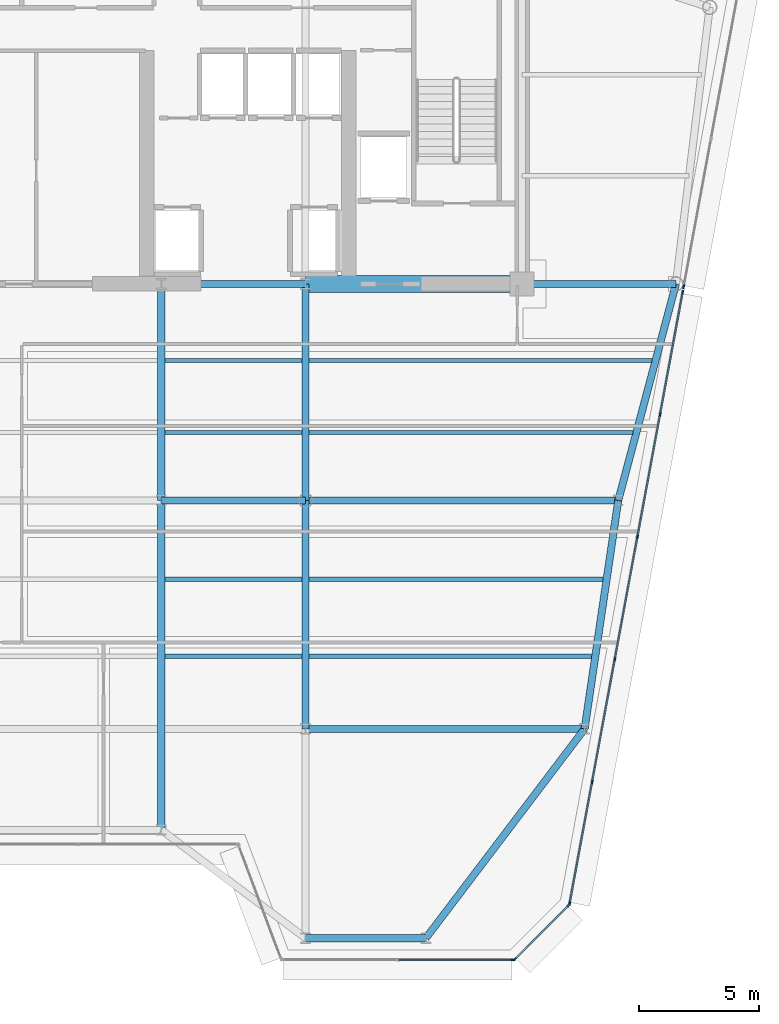
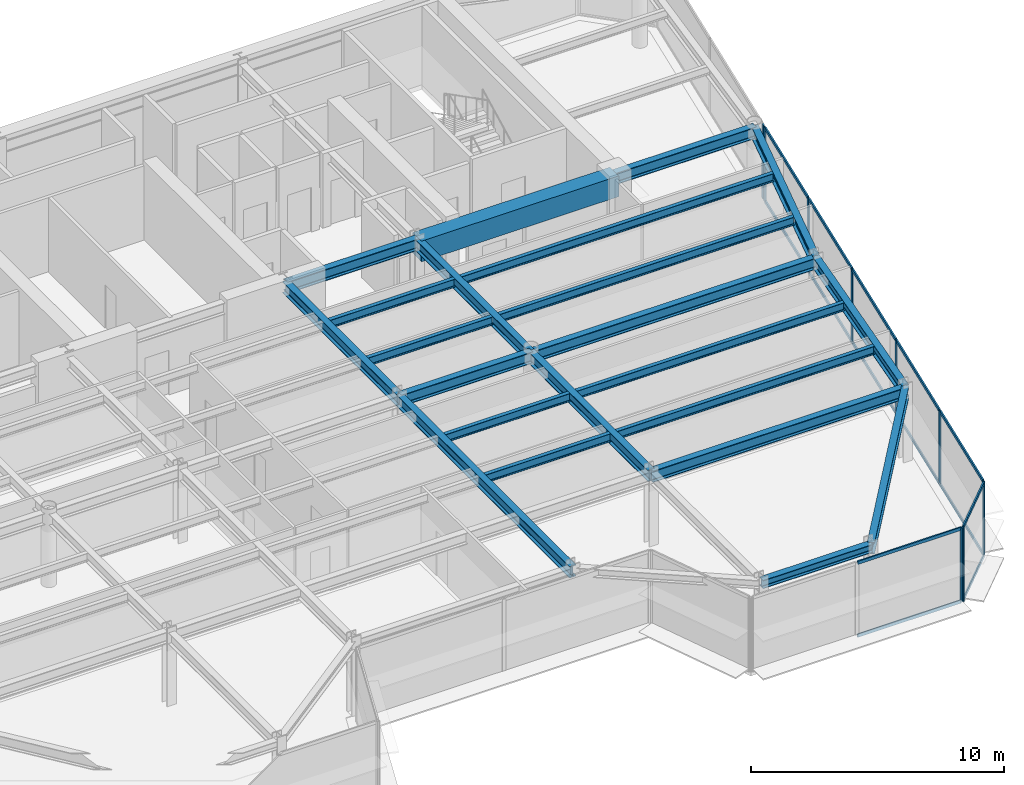
# One storey, part 6 of 16: 24 members, 22 beams, 4 elements without a shape of their own.
"""IFC4 building model written with IfcOpenShell, lengths in metres."""

from ifc_helpers import new_model, si_unit, direction, frame, origin, origin_2d, place, context, subcontext, project, spatial, rectangle, i_section, extrude, source, transform, mapped, material, layer, layer_set, material_profile, profile_set, type_object, element, aggregate, save


model = new_model("IFC4")

# Units and contexts
model_context = context("Model", 3, precision=1e-05, world=origin(), true_north=direction((0.0, 1.0)))
body_context = subcontext(model_context, "Body", "Model", "MODEL_VIEW")
ifc_project = project(units=[si_unit("LENGTHUNIT", "METRE"), si_unit("AREAUNIT", "SQUARE_METRE"), si_unit("VOLUMEUNIT", "CUBIC_METRE"), si_unit("PLANEANGLEUNIT", "RADIAN"), si_unit("MASSUNIT", "GRAM", prefix="KILO")], contexts=[model_context])

# Site, building, storey
site_placement = place(None, origin())
site = spatial("IfcSite", under=ifc_project, at=site_placement, CompositionType="ELEMENT")
building_placement = place(site_placement, origin())
building = spatial("IfcBuilding", under=site, at=building_placement, Name="Vaeldorn Concourse Tower", CompositionType="ELEMENT")
storey_placement = place(building_placement, frame((0.0, 0.0, 227.0)))
storey = spatial("IfcBuildingStorey", under=building, at=storey_placement, Name="L58", CompositionType="ELEMENT", Elevation=227.0)

# Beams
ifc_material_1 = material(Name="Concrete C50/60", Category="concrete")
ifc_material_profile_1 = material_profile(ifc_material_1, rectangle(XDim=0.699951171875, YDim=1.0, at=origin_2d()), Name="RC 700x1000")
ifc_profile_set_1 = profile_set([ifc_material_profile_1], Name="Concrete C50/60")
beam_type_1 = type_object("IfcBeamType", Name="BM-CB-RC700", PredefinedType="BEAM", material=ifc_profile_set_1)
shared_shape_1 = source(origin(), body_context, "Body", "SweptSolid", [
    extrude(rectangle(XDim=0.699951171875, YDim=1.0, at=origin_2d()), origin(), (0.0, 0.0, 1.0), 9.0),
])
beam_1_placement = place(storey_placement, frame((45.0, 36.5, 3.080078125), z_axis=(1.0, 0.0, 0.0), x_axis=(0.0, 1.0, 0.0)))
element("IfcBeam", 1, at=beam_1_placement, inside=storey, type_object=beam_type_1, Name="Core Coupling Beam L58-2", PredefinedType="BEAM", context=body_context, shape_type="MappedRepresentation", body=[
    mapped(shared_shape_1, transform((0.0, 0.0, 0.0), scale=1.0)),
])
ifc_material_2 = material(Name="Steel S355", Category="steel")
ifc_material_profile_2 = material_profile(ifc_material_2, i_section(OverallWidth=0.300048828125, OverallDepth=0.39990234375, WebThickness=0.013427734375, FlangeThickness=0.02392578125, FilletRadius=0.027099609375, at=origin_2d()), Name="HEB 400")
ifc_profile_set_2 = profile_set([ifc_material_profile_2], Name="Steel S355")
beam_type_2 = type_object("IfcBeamType", Name="BM-SP-HEB400", PredefinedType="SPANDREL", material=ifc_profile_set_2)
shared_shape_2 = source(origin(), body_context, "Body", "SweptSolid", [
    extrude(i_section(OverallWidth=0.300048828125, OverallDepth=0.39990234375, WebThickness=0.013427734375, FlangeThickness=0.02392578125, FilletRadius=0.027099609375, at=origin_2d()), origin(), (0.0, 0.0, 1.0), 5.0),
])
beam_2_placement = place(storey_placement, frame((45.0, 9.300048828125, 3.3798828125), z_axis=(1.0, 0.0, 0.0), x_axis=(0.0, 1.0, 0.0)))
element("IfcBeam", 2, at=beam_2_placement, inside=storey, type_object=beam_type_2, Name="Beam BM-L58-C-SF5-C-SF6", PredefinedType="SPANDREL", context=body_context, shape_type="MappedRepresentation", body=[
    mapped(shared_shape_2, transform((0.0, 0.0, 0.0), scale=1.0)),
])
ifc_material_profile_3 = material_profile(ifc_material_2, i_section(OverallWidth=0.179931640625, OverallDepth=0.39990234375, WebThickness=0.008544921875, FlangeThickness=0.013427734375, FilletRadius=0.02099609375, at=origin_2d()), Name="IPE 400")
ifc_profile_set_3 = profile_set([ifc_material_profile_3], Name="Steel S355")
beam_type_3 = type_object("IfcBeamType", Name="BM-JS-IPE400", PredefinedType="JOIST", material=ifc_profile_set_3)
shared_shape_3 = source(origin(), body_context, "Body", "SweptSolid", [
    extrude(i_section(OverallWidth=0.179931640625, OverallDepth=0.39990234375, WebThickness=0.008544921875, FlangeThickness=0.013427734375, FilletRadius=0.02099609375, at=origin_2d()), origin(), (0.0, 0.0, 1.0), 5.7001953125),
])
for number, where, z_axis, x_axis, name in (
    (3, (39.14990234375, 21.02001953125, 3.3798828125), (1.0, 0.0, 0.0), (0.0, 1.0, 0.0), "Beam JS-L58-E2-210"),
    (4, (39.14990234375, 24.219970703125, 3.3798828125), (1.0, 0.0, 0.0), (0.0, 1.0, 0.0), "Beam JS-L58-E2-242"),
    (5, (39.14990234375, 30.320068359375, 3.3798828125), (1.0, 0.0, 0.0), (0.0, 1.0, 0.0), "Beam JS-L58-E2-303"),
    (6, (39.14990234375, 33.320068359375, 3.3798828125), (1.0, 0.0, 0.0), (0.0, 1.0, 0.0), "Beam JS-L58-E2-333"),
):
    element("IfcBeam", number, at=place(storey_placement, frame(where, z_axis=z_axis, x_axis=x_axis)), inside=storey, type_object=beam_type_3, Name=name, PredefinedType="JOIST", context=body_context, shape_type="MappedRepresentation", body=[
        mapped(shared_shape_3, transform((0.0, 0.0, 0.0), scale=1.0)),
    ])
shared_shape_4 = source(origin(), body_context, "Body", "SweptSolid", [
    extrude(i_section(OverallWidth=0.179931640625, OverallDepth=0.39990234375, WebThickness=0.008544921875, FlangeThickness=0.013427734375, FilletRadius=0.02099609375, at=origin_2d()), origin(), (0.0, 0.0, 1.0), 11.7451171875),
])
beam_3_placement = place(storey_placement, frame((45.14990234375, 21.02001953125, 3.3798828125), z_axis=(1.0, 0.0, 0.0), x_axis=(0.0, 1.0, 0.0)))
element("IfcBeam", 7, at=beam_3_placement, inside=storey, type_object=beam_type_3, Name="Beam JS-L58-E1-210", PredefinedType="JOIST", context=body_context, shape_type="MappedRepresentation", body=[
    mapped(shared_shape_4, transform((0.0, 0.0, 0.0), scale=1.0)),
])
shared_shape_5 = source(origin(), body_context, "Body", "SweptSolid", [
    extrude(i_section(OverallWidth=0.179931640625, OverallDepth=0.39990234375, WebThickness=0.008544921875, FlangeThickness=0.013427734375, FilletRadius=0.02099609375, at=origin_2d()), origin(), (0.0, 0.0, 1.0), 12.216796875),
])
beam_4_placement = place(storey_placement, frame((45.14990234375, 24.219970703125, 3.3798828125), z_axis=(1.0, 0.0, 0.0), x_axis=(0.0, 1.0, 0.0)))
element("IfcBeam", 8, at=beam_4_placement, inside=storey, type_object=beam_type_3, Name="Beam JS-L58-E1-242", PredefinedType="JOIST", context=body_context, shape_type="MappedRepresentation", body=[
    mapped(shared_shape_5, transform((0.0, 0.0, 0.0), scale=1.0)),
])
shared_shape_6 = source(origin(), body_context, "Body", "SweptSolid", [
    extrude(i_section(OverallWidth=0.179931640625, OverallDepth=0.39990234375, WebThickness=0.008544921875, FlangeThickness=0.013427734375, FilletRadius=0.02099609375, at=origin_2d()), origin(), (0.0, 0.0, 1.0), 13.4521484375),
])
beam_5_placement = place(storey_placement, frame((45.14990234375, 30.320068359375, 3.3798828125), z_axis=(1.0, 0.0, 0.0), x_axis=(0.0, 1.0, 0.0)))
element("IfcBeam", 9, at=beam_5_placement, inside=storey, type_object=beam_type_3, Name="Beam JS-L58-E1-303", PredefinedType="JOIST", context=body_context, shape_type="MappedRepresentation", body=[
    mapped(shared_shape_6, transform((0.0, 0.0, 0.0), scale=1.0)),
])
shared_shape_7 = source(origin(), body_context, "Body", "SweptSolid", [
    extrude(i_section(OverallWidth=0.179931640625, OverallDepth=0.39990234375, WebThickness=0.008544921875, FlangeThickness=0.013427734375, FilletRadius=0.02099609375, at=origin_2d()), origin(), (0.0, 0.0, 1.0), 14.252197265625),
])
beam_6_placement = place(storey_placement, frame((45.14990234375, 33.320068359375, 3.3798828125), z_axis=(1.0, 0.0, 0.0), x_axis=(0.0, 1.0, 0.0)))
element("IfcBeam", 10, at=beam_6_placement, inside=storey, type_object=beam_type_3, Name="Beam JS-L58-E1-333", PredefinedType="JOIST", context=body_context, shape_type="MappedRepresentation", body=[
    mapped(shared_shape_7, transform((0.0, 0.0, 0.0), scale=1.0)),
])
ifc_material_profile_4 = material_profile(ifc_material_2, i_section(OverallWidth=0.300048828125, OverallDepth=0.550048828125, WebThickness=0.014892578125, FlangeThickness=0.029052734375, FilletRadius=0.027099609375, at=origin_2d()), Name="HEB 550")
ifc_profile_set_4 = profile_set([ifc_material_profile_4], Name="Steel S355")
beam_type_4 = type_object("IfcBeamType", Name="BM-PG-HEB550", PredefinedType="BEAM", material=ifc_profile_set_4)
shared_shape_8 = source(origin(), body_context, "Body", "SweptSolid", [
    extrude(i_section(OverallWidth=0.300048828125, OverallDepth=0.550048828125, WebThickness=0.014892578125, FlangeThickness=0.029052734375, FilletRadius=0.027099609375, at=origin_2d()), origin(), (0.0, 0.0, 1.0), 6.0),
])
for number, where, z_axis, x_axis, name in (
    (11, (39.0, 36.5, 3.304931640625), (1.0, 0.0, 0.0), (0.0, 1.0, 0.0), "Beam BM-L58-C-FC4-C-FC5"),
    (12, (39.0, 27.5, 3.304931640625), (1.0, 0.0, 0.0), (0.0, 1.0, 0.0), "Beam BM-L58-C-TW3-C-TW4"),
):
    element("IfcBeam", number, at=place(storey_placement, frame(where, z_axis=z_axis, x_axis=x_axis)), inside=storey, type_object=beam_type_4, Name=name, PredefinedType="BEAM", context=body_context, shape_type="MappedRepresentation", body=[
        mapped(shared_shape_8, transform((0.0, 0.0, 0.0), scale=1.0)),
    ])
shared_shape_9 = source(origin(), body_context, "Body", "SweptSolid", [
    extrude(i_section(OverallWidth=0.300048828125, OverallDepth=0.550048828125, WebThickness=0.014892578125, FlangeThickness=0.029052734375, FilletRadius=0.027099609375, at=origin_2d()), origin(), (0.0, 0.0, 1.0), 9.0),
])
for number, where, z_axis, x_axis, name in (
    (13, (39.0, 27.5, 3.304931640625), (0.0, 1.0, 0.0), (-1.0, 0.0, 0.0), "Beam BM-L58-C-TW3-C-FC4"),
    (14, (45.0, 27.5, 3.304931640625), (0.0, 1.0, 0.0), (-1.0, 0.0, 0.0), "Beam BM-L58-C-TW4-C-FC5"),
):
    element("IfcBeam", number, at=place(storey_placement, frame(where, z_axis=z_axis, x_axis=x_axis)), inside=storey, type_object=beam_type_4, Name=name, PredefinedType="BEAM", context=body_context, shape_type="MappedRepresentation", body=[
        mapped(shared_shape_9, transform((0.0, 0.0, 0.0), scale=1.0)),
    ])
shared_shape_10 = source(origin(), body_context, "Body", "SweptSolid", [
    extrude(i_section(OverallWidth=0.300048828125, OverallDepth=0.550048828125, WebThickness=0.014892578125, FlangeThickness=0.029052734375, FilletRadius=0.027099609375, at=origin_2d()), origin(), (0.0, 0.0, 1.0), 6.39990234375),
])
beam_7_placement = place(storey_placement, frame((54.0, 36.5, 3.304931640625), z_axis=(1.0, 0.0, 0.0), x_axis=(0.0, 1.0, 0.0)))
element("IfcBeam", 15, at=beam_7_placement, inside=storey, type_object=beam_type_4, Name="Beam BM-L58-C-FC6-C-NE2", PredefinedType="BEAM", context=body_context, shape_type="MappedRepresentation", body=[
    mapped(shared_shape_10, transform((0.0, 0.0, 0.0), scale=1.0)),
])
shared_shape_11 = source(origin(), body_context, "Body", "SweptSolid", [
    extrude(i_section(OverallWidth=0.300048828125, OverallDepth=0.550048828125, WebThickness=0.014892578125, FlangeThickness=0.029052734375, FilletRadius=0.027099609375, at=origin_2d()), origin(), (0.0, 0.0, 1.0), 9.314453125),
])
beam_8_placement = place(storey_placement, frame((60.39990234375, 36.5, 3.304931640625), z_axis=(-0.257652862255, -0.966237549763, 0.0), x_axis=(0.966237549763, -0.257652862255, 0.0)))
element("IfcBeam", 16, at=beam_8_placement, inside=storey, type_object=beam_type_4, Name="Beam BM-L58-C-NE2-C-FLE1", PredefinedType="BEAM", context=body_context, shape_type="MappedRepresentation", body=[
    mapped(shared_shape_11, transform((0.0, 0.0, 0.0), scale=1.0)),
])
shared_shape_12 = source(origin(), body_context, "Body", "SweptSolid", [
    extrude(i_section(OverallWidth=0.300048828125, OverallDepth=0.550048828125, WebThickness=0.014892578125, FlangeThickness=0.029052734375, FilletRadius=0.027099609375, at=origin_2d()), origin(), (0.0, 0.0, 1.0), 13.0),
])
beam_9_placement = place(storey_placement, frame((45.0, 27.5, 3.304931640625), z_axis=(1.0, 0.0, 0.0), x_axis=(0.0, 1.0, 0.0)))
element("IfcBeam", 17, at=beam_9_placement, inside=storey, type_object=beam_type_4, Name="Beam BM-L58-C-TW4-C-FLE1", PredefinedType="BEAM", context=body_context, shape_type="MappedRepresentation", body=[
    mapped(shared_shape_12, transform((0.0, 0.0, 0.0), scale=1.0)),
])
shared_shape_13 = source(origin(), body_context, "Body", "SweptSolid", [
    extrude(i_section(OverallWidth=0.300048828125, OverallDepth=0.550048828125, WebThickness=0.014892578125, FlangeThickness=0.029052734375, FilletRadius=0.027099609375, at=origin_2d()), origin(), (0.0, 0.0, 1.0), 9.6025390625),
])
beam_10_placement = place(storey_placement, frame((58.0, 27.5, 3.304931640625), z_axis=(-0.145783835977, -0.989316467652, 0.0), x_axis=(0.989316467652, -0.145783835977, 0.0)))
element("IfcBeam", 18, at=beam_10_placement, inside=storey, type_object=beam_type_4, Name="Beam BM-L58-C-FLE1-C-FLE2", PredefinedType="BEAM", context=body_context, shape_type="MappedRepresentation", body=[
    mapped(shared_shape_13, transform((0.0, 0.0, 0.0), scale=1.0)),
])
shared_shape_14 = source(origin(), body_context, "Body", "SweptSolid", [
    extrude(i_section(OverallWidth=0.300048828125, OverallDepth=0.550048828125, WebThickness=0.014892578125, FlangeThickness=0.029052734375, FilletRadius=0.027099609375, at=origin_2d()), origin(), (0.0, 0.0, 1.0), 11.60009765625),
])
beam_11_placement = place(storey_placement, frame((45.0, 18.0, 3.304931640625), z_axis=(1.0, 0.0, 0.0), x_axis=(0.0, 1.0, 0.0)))
element("IfcBeam", 19, at=beam_11_placement, inside=storey, type_object=beam_type_4, Name="Beam BM-L58-C-TW6-C-FLE2", PredefinedType="BEAM", context=body_context, shape_type="MappedRepresentation", body=[
    mapped(shared_shape_14, transform((0.0, 0.0, 0.0), scale=1.0)),
])
shared_shape_15 = source(origin(), body_context, "Body", "SweptSolid", [
    extrude(i_section(OverallWidth=0.300048828125, OverallDepth=0.550048828125, WebThickness=0.014892578125, FlangeThickness=0.029052734375, FilletRadius=0.027099609375, at=origin_2d()), origin(), (0.0, 0.0, 1.0), 9.5),
])
beam_12_placement = place(storey_placement, frame((45.0, 18.0, 3.304931640625), z_axis=(0.0, 1.0, 0.0), x_axis=(-1.0, 0.0, 0.0)))
element("IfcBeam", 20, at=beam_12_placement, inside=storey, type_object=beam_type_4, Name="Beam BM-L58-C-TW6-C-TW4", PredefinedType="BEAM", context=body_context, shape_type="MappedRepresentation", body=[
    mapped(shared_shape_15, transform((0.0, 0.0, 0.0), scale=1.0)),
])
shared_shape_16 = source(origin(), body_context, "Body", "SweptSolid", [
    extrude(i_section(OverallWidth=0.300048828125, OverallDepth=0.550048828125, WebThickness=0.014892578125, FlangeThickness=0.029052734375, FilletRadius=0.027099609375, at=origin_2d()), origin(), (0.0, 0.0, 1.0), 10.920166015625),
])
beam_13_placement = place(storey_placement, frame((50.0, 9.300048828125, 3.304931640625), z_axis=(0.604394310451, 0.796685331542, 0.0), x_axis=(-0.796685331542, 0.604394310451, 0.0)))
element("IfcBeam", 21, at=beam_13_placement, inside=storey, type_object=beam_type_4, Name="Beam BM-L58-C-SF6-C-FLE2", PredefinedType="BEAM", context=body_context, shape_type="MappedRepresentation", body=[
    mapped(shared_shape_16, transform((0.0, 0.0, 0.0), scale=1.0)),
])
shared_shape_17 = source(origin(), body_context, "Body", "SweptSolid", [
    extrude(i_section(OverallWidth=0.300048828125, OverallDepth=0.550048828125, WebThickness=0.014892578125, FlangeThickness=0.029052734375, FilletRadius=0.027099609375, at=origin_2d()), origin(), (0.0, 0.0, 1.0), 13.699951171875),
])
beam_14_placement = place(storey_placement, frame((39.0, 13.800048828125, 3.304931640625), z_axis=(0.0, 1.0, 0.0), x_axis=(-1.0, 0.0, 0.0)))
element("IfcBeam", 22, at=beam_14_placement, inside=storey, type_object=beam_type_4, Name="Beam BM-L58-C-SF4-C-TW3", PredefinedType="BEAM", context=body_context, shape_type="MappedRepresentation", body=[
    mapped(shared_shape_17, transform((0.0, 0.0, 0.0), scale=1.0)),
])

# Curtain wall, members
ifc_material_3 = material(Name="Anodised Bronze Aluminium", Category="aluminium")
ifc_layer = layer(ifc_material_3, 0.179931640625)
ifc_layer_set = layer_set([ifc_layer], Name="Anodised Bronze Aluminium")
curtain_wall_type = type_object("IfcCurtainWallType", Name="CW-SYS-05", PredefinedType="NOTDEFINED", material=ifc_layer_set)
curtain_wall_1_placement = place(storey_placement, origin())
curtain_wall_1 = element("IfcCurtainWall", 23, at=curtain_wall_1_placement, inside=storey, type_object=curtain_wall_type, Name="Unitised Curtain Wall CW-L58-E06-1", PredefinedType="NOTDEFINED")
ifc_material_profile_5 = material_profile(ifc_material_3, rectangle(XDim=0.06494140625, YDim=0.14990234375, at=origin_2d()), Name="CWT 65x150")
ifc_profile_set_5 = profile_set([ifc_material_profile_5], Name="Anodised Bronze Aluminium")
member_type_1 = type_object("IfcMemberType", Name="CWT-BRONZE-150", PredefinedType="USERDEFINED", material=ifc_profile_set_5)
shared_shape_18 = source(origin(), body_context, "Body", "SweptSolid", [
    extrude(rectangle(XDim=0.06494140625, YDim=0.14990234375, at=origin_2d()), origin(), (0.0, 0.0, 1.0), 3.12255859375),
])
member_1_placement = place(storey_placement, frame((53.717041015625, 8.446044921875, 0.032470703125), z_axis=(0.707106781187, 0.707106781187, 0.0), x_axis=(-0.707106781187, 0.707106781187, 0.0)))
member_1 = element("IfcMember", 24, at=member_1_placement, type_object=member_type_1, Name="CW-05 transom 1.1", ObjectType="TRANSOM", PredefinedType="USERDEFINED", context=body_context, shape_type="MappedRepresentation", body=[
    mapped(shared_shape_18, transform((0.0, 0.0, 0.0), scale=1.0)),
])
member_2_placement = place(storey_placement, frame((53.717041015625, 8.446044921875, 3.547607421875), z_axis=(0.707106781187, 0.707106781187, 0.0), x_axis=(-0.707106781187, 0.707106781187, 0.0)))
member_2 = element("IfcMember", 25, at=member_2_placement, type_object=member_type_1, Name="CW-05 transom 1.2", ObjectType="TRANSOM", PredefinedType="USERDEFINED", context=body_context, shape_type="MappedRepresentation", body=[
    mapped(shared_shape_18, transform((0.0, 0.0, 0.0), scale=1.0)),
])

# Curtain wall, member
curtain_wall_2_placement = place(storey_placement, origin())
curtain_wall_2 = element("IfcCurtainWall", 26, at=curtain_wall_2_placement, inside=storey, type_object=curtain_wall_type, Name="Unitised Curtain Wall CW-L58-E05-1", PredefinedType="NOTDEFINED")
ifc_material_profile_6 = material_profile(ifc_material_3, rectangle(XDim=0.06494140625, YDim=0.169921875, at=origin_2d()), Name="CWM 65x170")
ifc_profile_set_6 = profile_set([ifc_material_profile_6], Name="Anodised Bronze Aluminium")
member_type_2 = type_object("IfcMemberType", Name="CWM-BRONZE-170", PredefinedType="MULLION", material=ifc_profile_set_6)
shared_shape_19 = source(origin(), body_context, "Body", "SweptSolid", [
    extrude(rectangle(XDim=0.06494140625, YDim=0.169921875, at=origin_2d()), origin(), (0.0, 0.0, 1.0), 3.580078125),
])
member_3_placement = place(storey_placement, frame((53.638427734375, 8.39990234375, 0.0), z_axis=(0.0, 0.0, 1.0), x_axis=(0.0, 1.0, 0.0)))
member_3 = element("IfcMember", 27, at=member_3_placement, type_object=member_type_2, Name="CW-05 mullion 3", PredefinedType="MULLION", context=body_context, shape_type="MappedRepresentation", body=[
    mapped(shared_shape_19, transform((0.0, 0.0, 0.0), scale=1.0)),
])

# Member
member_4_placement = place(storey_placement, frame((53.694091796875, 8.423095703125, 0.0), z_axis=(0.0, 0.0, 1.0), x_axis=(-0.707106781187, 0.707106781187, 0.0)))
member_4 = element("IfcMember", 28, at=member_4_placement, type_object=member_type_2, Name="CW-05 mullion 1", PredefinedType="MULLION", context=body_context, shape_type="MappedRepresentation", body=[
    mapped(shared_shape_19, transform((0.0, 0.0, 0.0), scale=1.0)),
])

member_5_placement = place(storey_placement, frame((55.947998046875, 10.677001953125, 0.0), z_axis=(0.0, 0.0, 1.0), x_axis=(-0.707106781187, 0.707106781187, 0.0)))
member_5 = element("IfcMember", 29, at=member_5_placement, type_object=member_type_2, Name="CW-05 mullion 2", PredefinedType="MULLION", context=body_context, shape_type="MappedRepresentation", body=[
    mapped(shared_shape_19, transform((0.0, 0.0, 0.0), scale=1.0)),
])

aggregate(curtain_wall_1, [member_4, member_5, member_1, member_2])

# Curtain wall, members
curtain_wall_3_placement = place(storey_placement, origin())
curtain_wall_3 = element("IfcCurtainWall", 30, at=curtain_wall_3_placement, inside=storey, type_object=curtain_wall_type, Name="Unitised Curtain Wall CW-L58-E07-1", PredefinedType="NOTDEFINED")
member_6_placement = place(storey_placement, frame((55.976806640625, 10.73193359375, 0.0), z_axis=(0.0, 0.0, 1.0), x_axis=(-0.98331890588, 0.181889882456, 0.0)))
member_6 = element("IfcMember", 31, at=member_6_placement, type_object=member_type_2, Name="CW-05 mullion 1", PredefinedType="MULLION", context=body_context, shape_type="MappedRepresentation", body=[
    mapped(shared_shape_19, transform((0.0, 0.0, 0.0), scale=1.0)),
])
member_7_placement = place(storey_placement, frame((56.913818359375, 15.797119140625, 0.0), z_axis=(0.0, 0.0, 1.0), x_axis=(-0.98331890588, 0.181889882456, 0.0)))
member_7 = element("IfcMember", 32, at=member_7_placement, type_object=member_type_2, Name="CW-05 mullion 2", PredefinedType="MULLION", context=body_context, shape_type="MappedRepresentation", body=[
    mapped(shared_shape_19, transform((0.0, 0.0, 0.0), scale=1.0)),
])
member_8_placement = place(storey_placement, frame((57.856689453125, 20.89404296875, 0.0), z_axis=(0.0, 0.0, 1.0), x_axis=(-0.98331890588, 0.181889882456, 0.0)))
member_8 = element("IfcMember", 33, at=member_8_placement, type_object=member_type_2, Name="CW-05 mullion 3", PredefinedType="MULLION", context=body_context, shape_type="MappedRepresentation", body=[
    mapped(shared_shape_19, transform((0.0, 0.0, 0.0), scale=1.0)),
])
member_9_placement = place(storey_placement, frame((58.799560546875, 25.990966796875, 0.0), z_axis=(0.0, 0.0, 1.0), x_axis=(-0.98331890588, 0.181889882456, 0.0)))
member_9 = element("IfcMember", 34, at=member_9_placement, type_object=member_type_2, Name="CW-05 mullion 4", PredefinedType="MULLION", context=body_context, shape_type="MappedRepresentation", body=[
    mapped(shared_shape_19, transform((0.0, 0.0, 0.0), scale=1.0)),
])
member_10_placement = place(storey_placement, frame((59.7421875, 31.087890625, 0.0), z_axis=(0.0, 0.0, 1.0), x_axis=(-0.98331890588, 0.181889882456, 0.0)))
member_10 = element("IfcMember", 35, at=member_10_placement, type_object=member_type_2, Name="CW-05 mullion 5", PredefinedType="MULLION", context=body_context, shape_type="MappedRepresentation", body=[
    mapped(shared_shape_19, transform((0.0, 0.0, 0.0), scale=1.0)),
])
member_11_placement = place(storey_placement, frame((60.67919921875, 36.153076171875, 0.0), z_axis=(0.0, 0.0, 1.0), x_axis=(-0.98331890588, 0.181889882456, 0.0)))
member_11 = element("IfcMember", 36, at=member_11_placement, type_object=member_type_2, Name="CW-05 mullion 6", PredefinedType="MULLION", context=body_context, shape_type="MappedRepresentation", body=[
    mapped(shared_shape_19, transform((0.0, 0.0, 0.0), scale=1.0)),
])

# Curtain wall, member
curtain_wall_4_placement = place(storey_placement, origin())
curtain_wall_4 = element("IfcCurtainWall", 37, at=curtain_wall_4_placement, inside=storey, type_object=curtain_wall_type, Name="Unitised Curtain Wall CW-L58-E07-2", PredefinedType="NOTDEFINED")
member_12_placement = place(storey_placement, frame((60.720947265625, 36.37890625, 0.0), z_axis=(0.0, 0.0, 1.0), x_axis=(-0.983319198447, 0.181888300792, 0.0)))
member_12 = element("IfcMember", 38, at=member_12_placement, type_object=member_type_2, Name="CW-05 mullion 1", PredefinedType="MULLION", context=body_context, shape_type="MappedRepresentation", body=[
    mapped(shared_shape_19, transform((0.0, 0.0, 0.0), scale=1.0)),
])
aggregate(curtain_wall_4, [member_12])

# Member
shared_shape_20 = source(origin(), body_context, "Body", "SweptSolid", [
    extrude(rectangle(XDim=0.06494140625, YDim=0.14990234375, at=origin_2d()), origin(), (0.0, 0.0, 1.0), 4.738037109375),
])
member_13_placement = place(storey_placement, frame((48.867919921875, 8.39990234375, 0.032470703125), z_axis=(1.0, 0.0, 0.0), x_axis=(0.0, 1.0, 0.0)))
member_13 = element("IfcMember", 39, at=member_13_placement, type_object=member_type_1, Name="CW-05 transom 2.1", ObjectType="TRANSOM", PredefinedType="USERDEFINED", context=body_context, shape_type="MappedRepresentation", body=[
    mapped(shared_shape_20, transform((0.0, 0.0, 0.0), scale=1.0)),
])

member_14_placement = place(storey_placement, frame((48.867919921875, 8.39990234375, 3.547607421875), z_axis=(1.0, 0.0, 0.0), x_axis=(0.0, 1.0, 0.0)))
member_14 = element("IfcMember", 40, at=member_14_placement, type_object=member_type_1, Name="CW-05 transom 2.2", ObjectType="TRANSOM", PredefinedType="USERDEFINED", context=body_context, shape_type="MappedRepresentation", body=[
    mapped(shared_shape_20, transform((0.0, 0.0, 0.0), scale=1.0)),
])

aggregate(curtain_wall_2, [member_3, member_13, member_14])

shared_shape_21 = source(origin(), body_context, "Body", "SweptSolid", [
    extrude(rectangle(XDim=0.06494140625, YDim=0.14990234375, at=origin_2d()), origin(), (0.0, 0.0, 1.0), 5.0859375),
])
member_15_placement = place(storey_placement, frame((55.98291015625, 10.763916015625, 0.032470703125), z_axis=(0.181879549724, 0.983320817125, 0.0), x_axis=(-0.983320817125, 0.181879549724, 0.0)))
member_15 = element("IfcMember", 41, at=member_15_placement, type_object=member_type_1, Name="CW-05 transom 1.1", ObjectType="TRANSOM", PredefinedType="USERDEFINED", context=body_context, shape_type="MappedRepresentation", body=[
    mapped(shared_shape_21, transform((0.0, 0.0, 0.0), scale=1.0)),
])

member_16_placement = place(storey_placement, frame((55.98291015625, 10.763916015625, 3.547607421875), z_axis=(0.181879549724, 0.983320817125, 0.0), x_axis=(-0.983320817125, 0.181879549724, 0.0)))
member_16 = element("IfcMember", 42, at=member_16_placement, type_object=member_type_1, Name="CW-05 transom 1.2", ObjectType="TRANSOM", PredefinedType="USERDEFINED", context=body_context, shape_type="MappedRepresentation", body=[
    mapped(shared_shape_21, transform((0.0, 0.0, 0.0), scale=1.0)),
])

member_17_placement = place(storey_placement, frame((59.748291015625, 31.119873046875, 0.032470703125), z_axis=(0.181879549724, 0.983320817125, 0.0), x_axis=(-0.983320817125, 0.181879549724, 0.0)))
member_17 = element("IfcMember", 43, at=member_17_placement, type_object=member_type_1, Name="CW-05 transom 5.1", ObjectType="TRANSOM", PredefinedType="USERDEFINED", context=body_context, shape_type="MappedRepresentation", body=[
    mapped(shared_shape_21, transform((0.0, 0.0, 0.0), scale=1.0)),
])

member_18_placement = place(storey_placement, frame((59.748291015625, 31.119873046875, 3.547607421875), z_axis=(0.181879549724, 0.983320817125, 0.0), x_axis=(-0.983320817125, 0.181879549724, 0.0)))
member_18 = element("IfcMember", 44, at=member_18_placement, type_object=member_type_1, Name="CW-05 transom 5.2", ObjectType="TRANSOM", PredefinedType="USERDEFINED", context=body_context, shape_type="MappedRepresentation", body=[
    mapped(shared_shape_21, transform((0.0, 0.0, 0.0), scale=1.0)),
])

shared_shape_22 = source(origin(), body_context, "Body", "SweptSolid", [
    extrude(rectangle(XDim=0.06494140625, YDim=0.14990234375, at=origin_2d()), origin(), (0.0, 0.0, 1.0), 5.11865234375),
])
member_19_placement = place(storey_placement, frame((56.919677734375, 15.828857421875, 0.032470703125), z_axis=(0.181915044341, 0.983314251215, 0.0), x_axis=(-0.983314251215, 0.181915044341, 0.0)))
member_19 = element("IfcMember", 45, at=member_19_placement, type_object=member_type_1, Name="CW-05 transom 2.1", ObjectType="TRANSOM", PredefinedType="USERDEFINED", context=body_context, shape_type="MappedRepresentation", body=[
    mapped(shared_shape_22, transform((0.0, 0.0, 0.0), scale=1.0)),
])

member_20_placement = place(storey_placement, frame((56.919677734375, 15.828857421875, 3.547607421875), z_axis=(0.181915044341, 0.983314251215, 0.0), x_axis=(-0.983314251215, 0.181915044341, 0.0)))
member_20 = element("IfcMember", 46, at=member_20_placement, type_object=member_type_1, Name="CW-05 transom 2.2", ObjectType="TRANSOM", PredefinedType="USERDEFINED", context=body_context, shape_type="MappedRepresentation", body=[
    mapped(shared_shape_22, transform((0.0, 0.0, 0.0), scale=1.0)),
])

member_21_placement = place(storey_placement, frame((58.805419921875, 26.02294921875, 0.032470703125), z_axis=(0.181868925515, 0.983322782169, 0.0), x_axis=(-0.983322782169, 0.181868925515, 0.0)))
member_21 = element("IfcMember", 47, at=member_21_placement, type_object=member_type_1, Name="CW-05 transom 4.1", ObjectType="TRANSOM", PredefinedType="USERDEFINED", context=body_context, shape_type="MappedRepresentation", body=[
    mapped(shared_shape_22, transform((0.0, 0.0, 0.0), scale=1.0)),
])

member_22_placement = place(storey_placement, frame((58.805419921875, 26.02294921875, 3.547607421875), z_axis=(0.181868925515, 0.983322782169, 0.0), x_axis=(-0.983322782169, 0.181868925515, 0.0)))
member_22 = element("IfcMember", 48, at=member_22_placement, type_object=member_type_1, Name="CW-05 transom 4.2", ObjectType="TRANSOM", PredefinedType="USERDEFINED", context=body_context, shape_type="MappedRepresentation", body=[
    mapped(shared_shape_22, transform((0.0, 0.0, 0.0), scale=1.0)),
])

shared_shape_23 = source(origin(), body_context, "Body", "SweptSolid", [
    extrude(rectangle(XDim=0.06494140625, YDim=0.14990234375, at=origin_2d()), origin(), (0.0, 0.0, 1.0), 5.118408203125),
])
member_23_placement = place(storey_placement, frame((57.862548828125, 20.926025390625, 0.032470703125), z_axis=(0.181877455854, 0.983321204415, 0.0), x_axis=(-0.983321204415, 0.181877455854, 0.0)))
member_23 = element("IfcMember", 49, at=member_23_placement, type_object=member_type_1, Name="CW-05 transom 3.1", ObjectType="TRANSOM", PredefinedType="USERDEFINED", context=body_context, shape_type="MappedRepresentation", body=[
    mapped(shared_shape_23, transform((0.0, 0.0, 0.0), scale=1.0)),
])

member_24_placement = place(storey_placement, frame((57.862548828125, 20.926025390625, 3.547607421875), z_axis=(0.181877455854, 0.983321204415, 0.0), x_axis=(-0.983321204415, 0.181877455854, 0.0)))
member_24 = element("IfcMember", 50, at=member_24_placement, type_object=member_type_1, Name="CW-05 transom 3.2", ObjectType="TRANSOM", PredefinedType="USERDEFINED", context=body_context, shape_type="MappedRepresentation", body=[
    mapped(shared_shape_23, transform((0.0, 0.0, 0.0), scale=1.0)),
])

aggregate(curtain_wall_3, [member_6, member_7, member_8, member_9, member_10, member_11, member_15, member_16, member_19, member_20, member_23, member_24, member_21, member_22, member_17, member_18])

save(model, "model.ifc")
